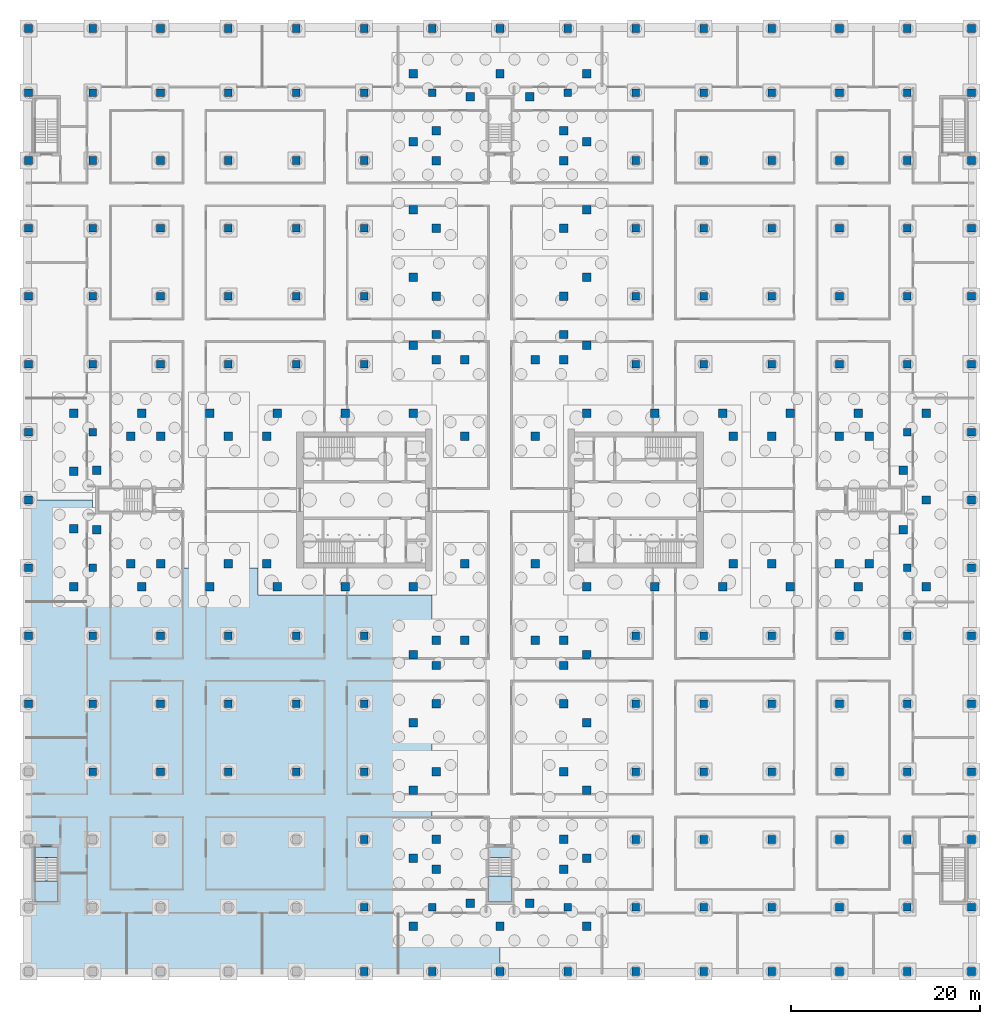
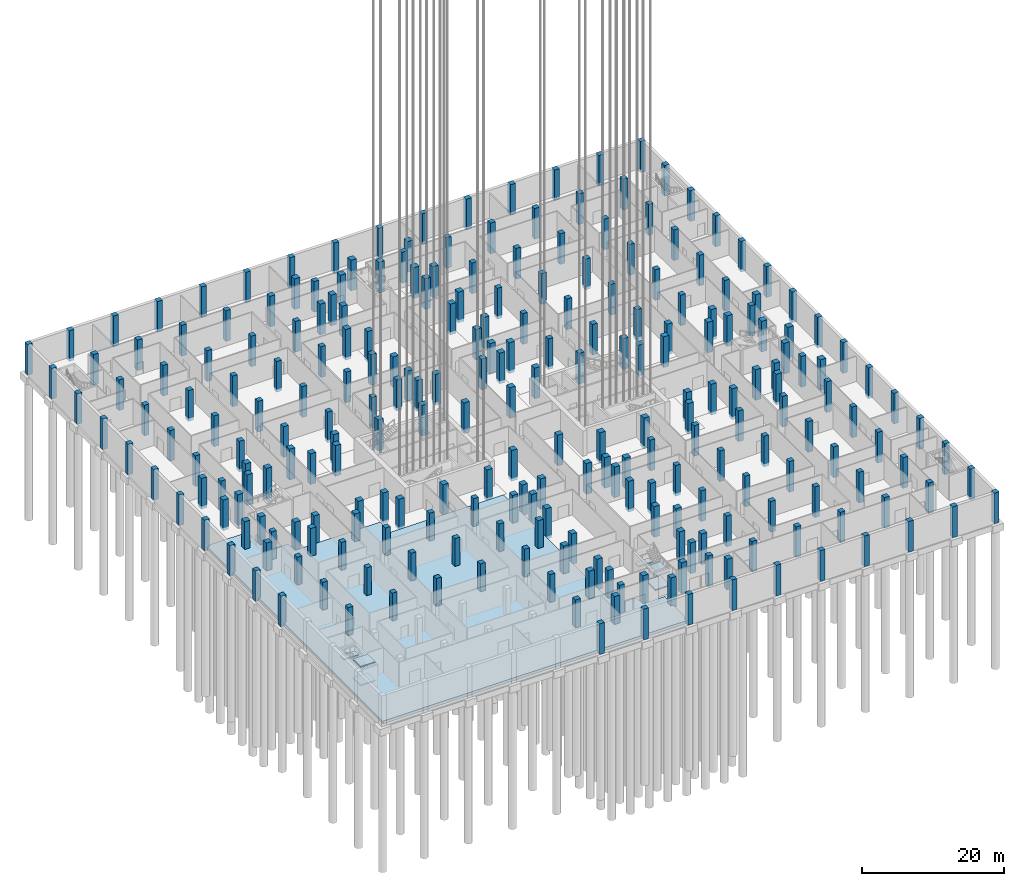
# One storey, part 4 of 54: 253 columns, 7 slabs, 2 elements without a shape of their own.
"""IFC4 building model written with IfcOpenShell, lengths in metres."""

from ifc_helpers import new_model, si_unit, direction, frame, origin, origin_2d, place, context, subcontext, project, spatial, polyline, rectangle, outline, extrude, material, layer, layer_set, material_profile, profile_set, type_object, element, aggregate, save


model = new_model("IFC4")

# Units and contexts
model_context = context("Model", 3, precision=1e-05, world=origin(), true_north=direction((0.0, 1.0)))
body_context = subcontext(model_context, "Body", "Model", "MODEL_VIEW")
ifc_project = project(units=[si_unit("LENGTHUNIT", "METRE"), si_unit("AREAUNIT", "SQUARE_METRE"), si_unit("VOLUMEUNIT", "CUBIC_METRE"), si_unit("PLANEANGLEUNIT", "RADIAN"), si_unit("MASSUNIT", "GRAM", prefix="KILO")], contexts=[model_context])

# Site, building, storey
site_placement = place(None, origin())
site = spatial("IfcSite", under=ifc_project, at=site_placement, CompositionType="ELEMENT")
building_placement = place(site_placement, origin())
building = spatial("IfcBuilding", under=site, at=building_placement, Name="Fustian Cross Tower", CompositionType="ELEMENT")
storey_placement = place(building_placement, frame((0.0, 0.0, -4.800048828125)))
storey = spatial("IfcBuildingStorey", under=building, at=storey_placement, Name="B1", CompositionType="ELEMENT", Elevation=-4.800048828125)

# Columns
ifc_material_1 = material(Name="Concrete C50/60", Category="concrete")
ifc_material_profile_1 = material_profile(ifc_material_1, rectangle(XDim=0.800048828125, YDim=0.800048828125, at=origin_2d()), Name="RC 800x800")
ifc_profile_set_1 = profile_set([ifc_material_profile_1], Name="Concrete C50/60")
column_type_1 = type_object("IfcColumnType", Name="COLUMN RC 800x800 C50/60", PredefinedType="COLUMN", material=ifc_profile_set_1)
for number, where, z_axis, x_axis, name in (
    (1, (-50.0, -21.60009765625, -0.5), (0.0, 0.0, 1.0), (1.0, 0.0, 0.0), "COLUMN 069"),
    (2, (-50.0, -14.39990234375, -0.5), (0.0, 0.0, 1.0), (1.0, 0.0, 0.0), "COLUMN 070"),
    (3, (-50.0, -7.199951171875, -0.5), (0.0, 0.0, 1.0), (1.0, 0.0, 0.0), "COLUMN 071"),
    (4, (-50.0, 0.0, -0.5), (0.0, 0.0, 1.0), (1.0, 0.0, 0.0), "COLUMN 072"),
    (5, (-50.0, 7.199951171875, -0.5), (0.0, 0.0, 1.0), (1.0, 0.0, 0.0), "COLUMN 073"),
    (6, (-50.0, 14.39990234375, -0.5), (0.0, 0.0, 1.0), (1.0, 0.0, 0.0), "COLUMN 074"),
    (7, (-50.0, 21.60009765625, -0.5), (0.0, 0.0, 1.0), (1.0, 0.0, 0.0), "COLUMN 075"),
    (8, (-50.0, 28.800048828125, -0.5), (0.0, 0.0, 1.0), (1.0, 0.0, 0.0), "COLUMN 076"),
    (9, (-50.0, 36.0, -0.5), (0.0, 0.0, 1.0), (1.0, 0.0, 0.0), "COLUMN 077"),
    (10, (-50.0, 43.199951171875, -0.5), (0.0, 0.0, 1.0), (1.0, 0.0, 0.0), "COLUMN 078"),
    (11, (-50.0, 50.0, -0.5), (0.0, 0.0, 1.0), (1.0, 0.0, 0.0), "COLUMN 079"),
    (12, (-43.199951171875, -28.800048828125, -0.5), (0.0, 0.0, 1.0), (1.0, 0.0, 0.0), "COLUMN 083"),
    (13, (-43.199951171875, -21.60009765625, -0.5), (0.0, 0.0, 1.0), (1.0, 0.0, 0.0), "COLUMN 084"),
    (14, (-43.199951171875, -14.39990234375, -0.5), (0.0, 0.0, 1.0), (1.0, 0.0, 0.0), "COLUMN 085"),
    (15, (-43.199951171875, -7.199951171875, -0.5), (0.0, 0.0, 1.0), (1.0, 0.0, 0.0), "COLUMN 086"),
    (16, (-43.199951171875, 7.199951171875, -0.5), (0.0, 0.0, 1.0), (1.0, 0.0, 0.0), "COLUMN 087"),
    (17, (-43.199951171875, 14.39990234375, -0.5), (0.0, 0.0, 1.0), (1.0, 0.0, 0.0), "COLUMN 088"),
    (18, (-43.199951171875, 21.60009765625, -0.5), (0.0, 0.0, 1.0), (1.0, 0.0, 0.0), "COLUMN 089"),
    (19, (-43.199951171875, 28.800048828125, -0.5), (0.0, 0.0, 1.0), (1.0, 0.0, 0.0), "COLUMN 090"),
    (20, (-43.199951171875, 36.0, -0.5), (0.0, 0.0, 1.0), (1.0, 0.0, 0.0), "COLUMN 091"),
    (21, (-43.199951171875, 43.199951171875, -0.5), (0.0, 0.0, 1.0), (1.0, 0.0, 0.0), "COLUMN 092"),
    (22, (-43.199951171875, 50.0, -0.5), (0.0, 0.0, 1.0), (1.0, 0.0, 0.0), "COLUMN 093"),
    (23, (-36.0, -28.800048828125, -0.5), (0.0, 0.0, 1.0), (1.0, 0.0, 0.0), "COLUMN 097"),
    (24, (-36.0, -21.60009765625, -0.5), (0.0, 0.0, 1.0), (1.0, 0.0, 0.0), "COLUMN 098"),
    (25, (-36.0, -14.39990234375, -0.5), (0.0, 0.0, 1.0), (1.0, 0.0, 0.0), "COLUMN 099"),
    (26, (-36.0, 14.39990234375, -0.5), (0.0, 0.0, 1.0), (1.0, 0.0, 0.0), "COLUMN 100"),
    (27, (-36.0, 21.60009765625, -0.5), (0.0, 0.0, 1.0), (1.0, 0.0, 0.0), "COLUMN 101"),
    (28, (-36.0, 28.800048828125, -0.5), (0.0, 0.0, 1.0), (1.0, 0.0, 0.0), "COLUMN 102"),
    (29, (-36.0, 36.0, -0.5), (0.0, 0.0, 1.0), (1.0, 0.0, 0.0), "COLUMN 103"),
    (30, (-36.0, 43.199951171875, -0.5), (0.0, 0.0, 1.0), (1.0, 0.0, 0.0), "COLUMN 104"),
    (31, (-36.0, 50.0, -0.5), (0.0, 0.0, 1.0), (1.0, 0.0, 0.0), "COLUMN 105"),
    (32, (-28.800048828125, -28.800048828125, -0.5), (0.0, 0.0, 1.0), (1.0, 0.0, 0.0), "COLUMN 109"),
    (33, (-28.800048828125, -21.60009765625, -0.5), (0.0, 0.0, 1.0), (1.0, 0.0, 0.0), "COLUMN 110"),
    (34, (-28.800048828125, -14.39990234375, -0.5), (0.0, 0.0, 1.0), (1.0, 0.0, 0.0), "COLUMN 111"),
    (35, (-28.800048828125, 14.39990234375, -0.5), (0.0, 0.0, 1.0), (1.0, 0.0, 0.0), "COLUMN 112"),
    (36, (-28.800048828125, 21.60009765625, -0.5), (0.0, 0.0, 1.0), (1.0, 0.0, 0.0), "COLUMN 113"),
    (37, (-28.800048828125, 28.800048828125, -0.5), (0.0, 0.0, 1.0), (1.0, 0.0, 0.0), "COLUMN 114"),
    (38, (-28.800048828125, 36.0, -0.5), (0.0, 0.0, 1.0), (1.0, 0.0, 0.0), "COLUMN 115"),
    (39, (-28.800048828125, 43.199951171875, -0.5), (0.0, 0.0, 1.0), (1.0, 0.0, 0.0), "COLUMN 116"),
    (40, (-28.800048828125, 50.0, -0.5), (0.0, 0.0, 1.0), (1.0, 0.0, 0.0), "COLUMN 117"),
    (41, (-21.60009765625, -28.800048828125, -0.5), (0.0, 0.0, 1.0), (1.0, 0.0, 0.0), "COLUMN 121"),
    (42, (-21.60009765625, -21.60009765625, -0.5), (0.0, 0.0, 1.0), (1.0, 0.0, 0.0), "COLUMN 122"),
    (43, (-21.60009765625, -14.39990234375, -0.5), (0.0, 0.0, 1.0), (1.0, 0.0, 0.0), "COLUMN 123"),
    (44, (-21.60009765625, 14.39990234375, -0.5), (0.0, 0.0, 1.0), (1.0, 0.0, 0.0), "COLUMN 124"),
    (45, (-21.60009765625, 21.60009765625, -0.5), (0.0, 0.0, 1.0), (1.0, 0.0, 0.0), "COLUMN 125"),
    (46, (-21.60009765625, 28.800048828125, -0.5), (0.0, 0.0, 1.0), (1.0, 0.0, 0.0), "COLUMN 126"),
    (47, (-21.60009765625, 36.0, -0.5), (0.0, 0.0, 1.0), (1.0, 0.0, 0.0), "COLUMN 127"),
    (48, (-21.60009765625, 43.199951171875, -0.5), (0.0, 0.0, 1.0), (1.0, 0.0, 0.0), "COLUMN 128"),
    (49, (-21.60009765625, 50.0, -0.5), (0.0, 0.0, 1.0), (1.0, 0.0, 0.0), "COLUMN 129"),
    (50, (-14.39990234375, -50.0, -0.5), (0.0, 0.0, 1.0), (1.0, 0.0, 0.0), "COLUMN 130"),
    (51, (-14.39990234375, -43.199951171875, -0.5), (0.0, 0.0, 1.0), (1.0, 0.0, 0.0), "COLUMN 131"),
    (52, (-14.39990234375, -36.0, -0.5), (0.0, 0.0, 1.0), (1.0, 0.0, 0.0), "COLUMN 132"),
    (53, (-14.39990234375, -28.800048828125, -0.5), (0.0, 0.0, 1.0), (1.0, 0.0, 0.0), "COLUMN 133"),
    (54, (-14.39990234375, -21.60009765625, -0.5), (0.0, 0.0, 1.0), (1.0, 0.0, 0.0), "COLUMN 134"),
    (55, (-14.39990234375, -14.39990234375, -0.5), (0.0, 0.0, 1.0), (1.0, 0.0, 0.0), "COLUMN 135"),
    (56, (-14.39990234375, 14.39990234375, -0.5), (0.0, 0.0, 1.0), (1.0, 0.0, 0.0), "COLUMN 136"),
    (57, (-14.39990234375, 21.60009765625, -0.5), (0.0, 0.0, 1.0), (1.0, 0.0, 0.0), "COLUMN 137"),
    (58, (-14.39990234375, 28.800048828125, -0.5), (0.0, 0.0, 1.0), (1.0, 0.0, 0.0), "COLUMN 138"),
    (59, (-14.39990234375, 36.0, -0.5), (0.0, 0.0, 1.0), (1.0, 0.0, 0.0), "COLUMN 139"),
    (60, (-14.39990234375, 43.199951171875, -0.5), (0.0, 0.0, 1.0), (1.0, 0.0, 0.0), "COLUMN 140"),
    (61, (-14.39990234375, 50.0, -0.5), (0.0, 0.0, 1.0), (1.0, 0.0, 0.0), "COLUMN 141"),
    (62, (-7.199951171875, -50.0, -0.5), (0.0, 0.0, 1.0), (1.0, 0.0, 0.0), "COLUMN 142"),
    (63, (-7.199951171875, -43.199951171875, -0.5), (0.0, 0.0, 1.0), (1.0, 0.0, 0.0), "COLUMN 143"),
    (64, (-7.199951171875, 43.199951171875, -0.5), (0.0, 0.0, 1.0), (1.0, 0.0, 0.0), "COLUMN 144"),
    (65, (-7.199951171875, 50.0, -0.5), (0.0, 0.0, 1.0), (1.0, 0.0, 0.0), "COLUMN 145"),
    (66, (0.0, -50.0, -0.5), (0.0, 0.0, 1.0), (1.0, 0.0, 0.0), "COLUMN 146"),
    (67, (0.0, 50.0, -0.5), (0.0, 0.0, 1.0), (1.0, 0.0, 0.0), "COLUMN 147"),
    (68, (7.199951171875, -50.0, -0.5), (0.0, 0.0, 1.0), (1.0, 0.0, 0.0), "COLUMN 148"),
    (69, (7.199951171875, -43.199951171875, -0.5), (0.0, 0.0, 1.0), (1.0, 0.0, 0.0), "COLUMN 149"),
    (70, (7.199951171875, 43.199951171875, -0.5), (0.0, 0.0, 1.0), (1.0, 0.0, 0.0), "COLUMN 150"),
    (71, (7.199951171875, 50.0, -0.5), (0.0, 0.0, 1.0), (1.0, 0.0, 0.0), "COLUMN 151"),
    (72, (14.39990234375, -50.0, -0.5), (0.0, 0.0, 1.0), (1.0, 0.0, 0.0), "COLUMN 152"),
    (73, (14.39990234375, -43.199951171875, -0.5), (0.0, 0.0, 1.0), (1.0, 0.0, 0.0), "COLUMN 153"),
    (74, (14.39990234375, -36.0, -0.5), (0.0, 0.0, 1.0), (1.0, 0.0, 0.0), "COLUMN 154"),
    (75, (14.39990234375, -28.800048828125, -0.5), (0.0, 0.0, 1.0), (1.0, 0.0, 0.0), "COLUMN 155"),
    (76, (14.39990234375, -21.60009765625, -0.5), (0.0, 0.0, 1.0), (1.0, 0.0, 0.0), "COLUMN 156"),
    (77, (14.39990234375, -14.39990234375, -0.5), (0.0, 0.0, 1.0), (1.0, 0.0, 0.0), "COLUMN 157"),
    (78, (14.39990234375, 14.39990234375, -0.5), (0.0, 0.0, 1.0), (1.0, 0.0, 0.0), "COLUMN 158"),
    (79, (14.39990234375, 21.60009765625, -0.5), (0.0, 0.0, 1.0), (1.0, 0.0, 0.0), "COLUMN 159"),
    (80, (14.39990234375, 28.800048828125, -0.5), (0.0, 0.0, 1.0), (1.0, 0.0, 0.0), "COLUMN 160"),
    (81, (14.39990234375, 36.0, -0.5), (0.0, 0.0, 1.0), (1.0, 0.0, 0.0), "COLUMN 161"),
    (82, (14.39990234375, 43.199951171875, -0.5), (0.0, 0.0, 1.0), (1.0, 0.0, 0.0), "COLUMN 162"),
    (83, (14.39990234375, 50.0, -0.5), (0.0, 0.0, 1.0), (1.0, 0.0, 0.0), "COLUMN 163"),
    (84, (21.60009765625, -50.0, -0.5), (0.0, 0.0, 1.0), (1.0, 0.0, 0.0), "COLUMN 164"),
    (85, (21.60009765625, -43.199951171875, -0.5), (0.0, 0.0, 1.0), (1.0, 0.0, 0.0), "COLUMN 165"),
    (86, (21.60009765625, -36.0, -0.5), (0.0, 0.0, 1.0), (1.0, 0.0, 0.0), "COLUMN 166"),
    (87, (21.60009765625, -28.800048828125, -0.5), (0.0, 0.0, 1.0), (1.0, 0.0, 0.0), "COLUMN 167"),
    (88, (21.60009765625, -21.60009765625, -0.5), (0.0, 0.0, 1.0), (1.0, 0.0, 0.0), "COLUMN 168"),
    (89, (21.60009765625, -14.39990234375, -0.5), (0.0, 0.0, 1.0), (1.0, 0.0, 0.0), "COLUMN 169"),
    (90, (21.60009765625, 14.39990234375, -0.5), (0.0, 0.0, 1.0), (1.0, 0.0, 0.0), "COLUMN 170"),
    (91, (21.60009765625, 21.60009765625, -0.5), (0.0, 0.0, 1.0), (1.0, 0.0, 0.0), "COLUMN 171"),
    (92, (21.60009765625, 28.800048828125, -0.5), (0.0, 0.0, 1.0), (1.0, 0.0, 0.0), "COLUMN 172"),
    (93, (21.60009765625, 36.0, -0.5), (0.0, 0.0, 1.0), (1.0, 0.0, 0.0), "COLUMN 173"),
    (94, (21.60009765625, 43.199951171875, -0.5), (0.0, 0.0, 1.0), (1.0, 0.0, 0.0), "COLUMN 174"),
    (95, (21.60009765625, 50.0, -0.5), (0.0, 0.0, 1.0), (1.0, 0.0, 0.0), "COLUMN 175"),
    (96, (28.800048828125, -50.0, -0.5), (0.0, 0.0, 1.0), (1.0, 0.0, 0.0), "COLUMN 176"),
    (97, (28.800048828125, -43.199951171875, -0.5), (0.0, 0.0, 1.0), (1.0, 0.0, 0.0), "COLUMN 177"),
    (98, (28.800048828125, -36.0, -0.5), (0.0, 0.0, 1.0), (1.0, 0.0, 0.0), "COLUMN 178"),
    (99, (28.800048828125, -28.800048828125, -0.5), (0.0, 0.0, 1.0), (1.0, 0.0, 0.0), "COLUMN 179"),
    (100, (28.800048828125, -21.60009765625, -0.5), (0.0, 0.0, 1.0), (1.0, 0.0, 0.0), "COLUMN 180"),
    (101, (28.800048828125, -14.39990234375, -0.5), (0.0, 0.0, 1.0), (1.0, 0.0, 0.0), "COLUMN 181"),
    (102, (28.800048828125, 14.39990234375, -0.5), (0.0, 0.0, 1.0), (1.0, 0.0, 0.0), "COLUMN 182"),
    (103, (28.800048828125, 21.60009765625, -0.5), (0.0, 0.0, 1.0), (1.0, 0.0, 0.0), "COLUMN 183"),
    (104, (28.800048828125, 28.800048828125, -0.5), (0.0, 0.0, 1.0), (1.0, 0.0, 0.0), "COLUMN 184"),
    (105, (28.800048828125, 36.0, -0.5), (0.0, 0.0, 1.0), (1.0, 0.0, 0.0), "COLUMN 185"),
    (106, (28.800048828125, 43.199951171875, -0.5), (0.0, 0.0, 1.0), (1.0, 0.0, 0.0), "COLUMN 186"),
    (107, (28.800048828125, 50.0, -0.5), (0.0, 0.0, 1.0), (1.0, 0.0, 0.0), "COLUMN 187"),
    (108, (36.0, -50.0, -0.5), (0.0, 0.0, 1.0), (1.0, 0.0, 0.0), "COLUMN 188"),
    (109, (36.0, -43.199951171875, -0.5), (0.0, 0.0, 1.0), (1.0, 0.0, 0.0), "COLUMN 189"),
    (110, (36.0, -36.0, -0.5), (0.0, 0.0, 1.0), (1.0, 0.0, 0.0), "COLUMN 190"),
    (111, (36.0, -28.800048828125, -0.5), (0.0, 0.0, 1.0), (1.0, 0.0, 0.0), "COLUMN 191"),
    (112, (36.0, -21.60009765625, -0.5), (0.0, 0.0, 1.0), (1.0, 0.0, 0.0), "COLUMN 192"),
    (113, (36.0, -14.39990234375, -0.5), (0.0, 0.0, 1.0), (1.0, 0.0, 0.0), "COLUMN 193"),
    (114, (36.0, 14.39990234375, -0.5), (0.0, 0.0, 1.0), (1.0, 0.0, 0.0), "COLUMN 194"),
    (115, (36.0, 21.60009765625, -0.5), (0.0, 0.0, 1.0), (1.0, 0.0, 0.0), "COLUMN 195"),
    (116, (36.0, 28.800048828125, -0.5), (0.0, 0.0, 1.0), (1.0, 0.0, 0.0), "COLUMN 196"),
    (117, (36.0, 36.0, -0.5), (0.0, 0.0, 1.0), (1.0, 0.0, 0.0), "COLUMN 197"),
    (118, (36.0, 43.199951171875, -0.5), (0.0, 0.0, 1.0), (1.0, 0.0, 0.0), "COLUMN 198"),
    (119, (36.0, 50.0, -0.5), (0.0, 0.0, 1.0), (1.0, 0.0, 0.0), "COLUMN 199"),
    (120, (43.199951171875, -50.0, -0.5), (0.0, 0.0, 1.0), (1.0, 0.0, 0.0), "COLUMN 200"),
    (121, (43.199951171875, -43.199951171875, -0.5), (0.0, 0.0, 1.0), (1.0, 0.0, 0.0), "COLUMN 201"),
    (122, (43.199951171875, -36.0, -0.5), (0.0, 0.0, 1.0), (1.0, 0.0, 0.0), "COLUMN 202"),
    (123, (43.199951171875, -28.800048828125, -0.5), (0.0, 0.0, 1.0), (1.0, 0.0, 0.0), "COLUMN 203"),
    (124, (43.199951171875, -21.60009765625, -0.5), (0.0, 0.0, 1.0), (1.0, 0.0, 0.0), "COLUMN 204"),
    (125, (43.199951171875, -14.39990234375, -0.5), (0.0, 0.0, 1.0), (1.0, 0.0, 0.0), "COLUMN 205"),
    (126, (43.199951171875, -7.199951171875, -0.5), (0.0, 0.0, 1.0), (1.0, 0.0, 0.0), "COLUMN 206"),
    (127, (43.199951171875, 7.199951171875, -0.5), (0.0, 0.0, 1.0), (1.0, 0.0, 0.0), "COLUMN 207"),
    (128, (43.199951171875, 14.39990234375, -0.5), (0.0, 0.0, 1.0), (1.0, 0.0, 0.0), "COLUMN 208"),
    (129, (43.199951171875, 21.60009765625, -0.5), (0.0, 0.0, 1.0), (1.0, 0.0, 0.0), "COLUMN 209"),
    (130, (43.199951171875, 28.800048828125, -0.5), (0.0, 0.0, 1.0), (1.0, 0.0, 0.0), "COLUMN 210"),
    (131, (43.199951171875, 36.0, -0.5), (0.0, 0.0, 1.0), (1.0, 0.0, 0.0), "COLUMN 211"),
    (132, (43.199951171875, 43.199951171875, -0.5), (0.0, 0.0, 1.0), (1.0, 0.0, 0.0), "COLUMN 212"),
    (133, (43.199951171875, 50.0, -0.5), (0.0, 0.0, 1.0), (1.0, 0.0, 0.0), "COLUMN 213"),
    (134, (50.0, -50.0, -0.5), (0.0, 0.0, 1.0), (1.0, 0.0, 0.0), "COLUMN 214"),
    (135, (50.0, -43.199951171875, -0.5), (0.0, 0.0, 1.0), (1.0, 0.0, 0.0), "COLUMN 215"),
    (136, (50.0, -36.0, -0.5), (0.0, 0.0, 1.0), (1.0, 0.0, 0.0), "COLUMN 216"),
    (137, (50.0, -28.800048828125, -0.5), (0.0, 0.0, 1.0), (1.0, 0.0, 0.0), "COLUMN 217"),
    (138, (50.0, -21.60009765625, -0.5), (0.0, 0.0, 1.0), (1.0, 0.0, 0.0), "COLUMN 218"),
    (139, (50.0, -14.39990234375, -0.5), (0.0, 0.0, 1.0), (1.0, 0.0, 0.0), "COLUMN 219"),
    (140, (50.0, -7.199951171875, -0.5), (0.0, 0.0, 1.0), (1.0, 0.0, 0.0), "COLUMN 220"),
    (141, (50.0, 0.0, -0.5), (0.0, 0.0, 1.0), (1.0, 0.0, 0.0), "COLUMN 221"),
    (142, (50.0, 7.199951171875, -0.5), (0.0, 0.0, 1.0), (1.0, 0.0, 0.0), "COLUMN 222"),
    (143, (50.0, 14.39990234375, -0.5), (0.0, 0.0, 1.0), (1.0, 0.0, 0.0), "COLUMN 223"),
    (144, (50.0, 21.60009765625, -0.5), (0.0, 0.0, 1.0), (1.0, 0.0, 0.0), "COLUMN 224"),
    (145, (50.0, 28.800048828125, -0.5), (0.0, 0.0, 1.0), (1.0, 0.0, 0.0), "COLUMN 225"),
    (146, (50.0, 36.0, -0.5), (0.0, 0.0, 1.0), (1.0, 0.0, 0.0), "COLUMN 226"),
    (147, (50.0, 43.199951171875, -0.5), (0.0, 0.0, 1.0), (1.0, 0.0, 0.0), "COLUMN 227"),
    (148, (50.0, 50.0, -0.5), (0.0, 0.0, 1.0), (1.0, 0.0, 0.0), "COLUMN 228"),
):
    element("IfcColumn", number, at=place(storey_placement, frame(where, z_axis=z_axis, x_axis=x_axis)), inside=storey, type_object=column_type_1, Name=name, PredefinedType="COLUMN", context=body_context, shape_type="SweptSolid", body=[
        extrude(rectangle(XDim=0.800048828125, YDim=0.800048828125, at=origin_2d()), origin(), (0.0, 0.0, 1.0), 5.300048828125),
    ])
ifc_material_2 = material(Name="Concrete C70/85", Category="concrete")
ifc_material_profile_2 = material_profile(ifc_material_2, rectangle(XDim=0.89990234375, YDim=0.89990234375, at=origin_2d()), Name="RC 900x900")
ifc_profile_set_2 = profile_set([ifc_material_profile_2], Name="Concrete C70/85")
column_type_2 = type_object("IfcColumnType", Name="COLUMN RC 900x900 C70/85", PredefinedType="COLUMN", material=ifc_profile_set_2)
for number, where, z_axis, x_axis, name in (
    (149, (-42.75, -3.14990234375, -0.5), (0.0, 0.0, 1.0), (1.0, 0.0, 0.0), "COLUMN 001"),
    (150, (-42.75, 3.14990234375, -0.5), (0.0, 0.0, 1.0), (1.0, 0.0, 0.0), "COLUMN 002"),
    (151, (-39.14990234375, -6.75, -0.5), (0.0, 0.0, 1.0), (1.0, 0.0, 0.0), "COLUMN 003"),
    (152, (-39.14990234375, 6.75, -0.5), (0.0, 0.0, 1.0), (1.0, 0.0, 0.0), "COLUMN 004"),
    (153, (-36.0, -6.75, -0.5), (0.0, 0.0, 1.0), (1.0, 0.0, 0.0), "COLUMN 005"),
    (154, (-36.0, 6.75, -0.5), (0.0, 0.0, 1.0), (1.0, 0.0, 0.0), "COLUMN 006"),
    (155, (-28.800048828125, -6.75, -0.5), (0.0, 0.0, 1.0), (1.0, 0.0, 0.0), "COLUMN 007"),
    (156, (-28.800048828125, 6.75, -0.5), (0.0, 0.0, 1.0), (1.0, 0.0, 0.0), "COLUMN 010"),
    (157, (-24.75, -6.75, -0.5), (0.0, 0.0, 1.0), (1.0, 0.0, 0.0), "COLUMN 011"),
    (158, (-24.75, 6.75, -0.5), (0.0, 0.0, 1.0), (1.0, 0.0, 0.0), "COLUMN 012"),
    (159, (-6.75, -39.14990234375, -0.5), (0.0, 0.0, 1.0), (1.0, 0.0, 0.0), "COLUMN 013"),
    (160, (-6.75, -36.0, -0.5), (0.0, 0.0, 1.0), (1.0, 0.0, 0.0), "COLUMN 014"),
    (161, (-6.75, -28.800048828125, -0.5), (0.0, 0.0, 1.0), (1.0, 0.0, 0.0), "COLUMN 015"),
    (162, (-6.75, -21.60009765625, -0.5), (0.0, 0.0, 1.0), (1.0, 0.0, 0.0), "COLUMN 016"),
    (163, (-6.75, -17.550048828125, -0.5), (0.0, 0.0, 1.0), (1.0, 0.0, 0.0), "COLUMN 017"),
    (164, (-6.75, -14.85009765625, -0.5), (0.0, 0.0, 1.0), (1.0, 0.0, 0.0), "COLUMN 018"),
    (165, (-6.75, 14.85009765625, -0.5), (0.0, 0.0, 1.0), (1.0, 0.0, 0.0), "COLUMN 019"),
    (166, (-6.75, 17.550048828125, -0.5), (0.0, 0.0, 1.0), (1.0, 0.0, 0.0), "COLUMN 020"),
    (167, (-6.75, 21.60009765625, -0.5), (0.0, 0.0, 1.0), (1.0, 0.0, 0.0), "COLUMN 021"),
    (168, (-6.75, 28.800048828125, -0.5), (0.0, 0.0, 1.0), (1.0, 0.0, 0.0), "COLUMN 022"),
    (169, (-6.75, 36.0, -0.5), (0.0, 0.0, 1.0), (1.0, 0.0, 0.0), "COLUMN 023"),
    (170, (-6.75, 39.14990234375, -0.5), (0.0, 0.0, 1.0), (1.0, 0.0, 0.0), "COLUMN 024"),
    (171, (-3.75, -14.85009765625, -0.5), (0.0, 0.0, 1.0), (1.0, 0.0, 0.0), "COLUMN 025"),
    (172, (-3.75, -6.75, -0.5), (0.0, 0.0, 1.0), (1.0, 0.0, 0.0), "COLUMN 026"),
    (173, (-3.75, 6.75, -0.5), (0.0, 0.0, 1.0), (1.0, 0.0, 0.0), "COLUMN 027"),
    (174, (-3.75, 14.85009765625, -0.5), (0.0, 0.0, 1.0), (1.0, 0.0, 0.0), "COLUMN 028"),
    (175, (-3.14990234375, -42.75, -0.5), (0.0, 0.0, 1.0), (1.0, 0.0, 0.0), "COLUMN 029"),
    (176, (-3.14990234375, 42.75, -0.5), (0.0, 0.0, 1.0), (1.0, 0.0, 0.0), "COLUMN 032"),
    (177, (3.14990234375, -42.75, -0.5), (0.0, 0.0, 1.0), (1.0, 0.0, 0.0), "COLUMN 033"),
    (178, (3.14990234375, 42.75, -0.5), (0.0, 0.0, 1.0), (1.0, 0.0, 0.0), "COLUMN 036"),
    (179, (3.75, -14.85009765625, -0.5), (0.0, 0.0, 1.0), (1.0, 0.0, 0.0), "COLUMN 037"),
    (180, (3.75, -6.75, -0.5), (0.0, 0.0, 1.0), (1.0, 0.0, 0.0), "COLUMN 038"),
    (181, (3.75, 6.75, -0.5), (0.0, 0.0, 1.0), (1.0, 0.0, 0.0), "COLUMN 039"),
    (182, (3.75, 14.85009765625, -0.5), (0.0, 0.0, 1.0), (1.0, 0.0, 0.0), "COLUMN 040"),
    (183, (6.75, -39.14990234375, -0.5), (0.0, 0.0, 1.0), (1.0, 0.0, 0.0), "COLUMN 041"),
    (184, (6.75, -36.0, -0.5), (0.0, 0.0, 1.0), (1.0, 0.0, 0.0), "COLUMN 042"),
    (185, (6.75, -28.800048828125, -0.5), (0.0, 0.0, 1.0), (1.0, 0.0, 0.0), "COLUMN 043"),
    (186, (6.75, -21.60009765625, -0.5), (0.0, 0.0, 1.0), (1.0, 0.0, 0.0), "COLUMN 044"),
    (187, (6.75, -17.550048828125, -0.5), (0.0, 0.0, 1.0), (1.0, 0.0, 0.0), "COLUMN 045"),
    (188, (6.75, -14.85009765625, -0.5), (0.0, 0.0, 1.0), (1.0, 0.0, 0.0), "COLUMN 046"),
    (189, (6.75, 14.85009765625, -0.5), (0.0, 0.0, 1.0), (1.0, 0.0, 0.0), "COLUMN 047"),
    (190, (6.75, 17.550048828125, -0.5), (0.0, 0.0, 1.0), (1.0, 0.0, 0.0), "COLUMN 048"),
    (191, (6.75, 21.60009765625, -0.5), (0.0, 0.0, 1.0), (1.0, 0.0, 0.0), "COLUMN 049"),
    (192, (6.75, 28.800048828125, -0.5), (0.0, 0.0, 1.0), (1.0, 0.0, 0.0), "COLUMN 050"),
    (193, (6.75, 36.0, -0.5), (0.0, 0.0, 1.0), (1.0, 0.0, 0.0), "COLUMN 051"),
    (194, (6.75, 39.14990234375, -0.5), (0.0, 0.0, 1.0), (1.0, 0.0, 0.0), "COLUMN 052"),
    (195, (24.75, -6.75, -0.5), (0.0, 0.0, 1.0), (1.0, 0.0, 0.0), "COLUMN 053"),
    (196, (24.75, 6.75, -0.5), (0.0, 0.0, 1.0), (1.0, 0.0, 0.0), "COLUMN 054"),
    (197, (28.800048828125, -6.75, -0.5), (0.0, 0.0, 1.0), (1.0, 0.0, 0.0), "COLUMN 055"),
    (198, (28.800048828125, 6.75, -0.5), (0.0, 0.0, 1.0), (1.0, 0.0, 0.0), "COLUMN 058"),
    (199, (36.0, -6.75, -0.5), (0.0, 0.0, 1.0), (1.0, 0.0, 0.0), "COLUMN 059"),
    (200, (36.0, 6.75, -0.5), (0.0, 0.0, 1.0), (1.0, 0.0, 0.0), "COLUMN 060"),
    (201, (39.14990234375, -6.75, -0.5), (0.0, 0.0, 1.0), (1.0, 0.0, 0.0), "COLUMN 061"),
    (202, (39.14990234375, 6.75, -0.5), (0.0, 0.0, 1.0), (1.0, 0.0, 0.0), "COLUMN 062"),
    (203, (42.75, -3.14990234375, -0.5), (0.0, 0.0, 1.0), (1.0, 0.0, 0.0), "COLUMN 063"),
    (204, (42.75, 3.14990234375, -0.5), (0.0, 0.0, 1.0), (1.0, 0.0, 0.0), "COLUMN 064"),
    (205, (-45.199951171875, -9.199951171875, -0.5), (0.0, 0.0, 1.0), (1.0, 0.0, 0.0), "COLUMN 901"),
    (206, (-45.199951171875, -3.066650390625, -0.5), (0.0, 0.0, 1.0), (1.0, 0.0, 0.0), "COLUMN 902"),
    (207, (-45.199951171875, 3.066650390625, -0.5), (0.0, 0.0, 1.0), (1.0, 0.0, 0.0), "COLUMN 903"),
    (208, (-45.199951171875, 9.199951171875, -0.5), (0.0, 0.0, 1.0), (1.0, 0.0, 0.0), "COLUMN 904"),
    (209, (-38.0, -9.199951171875, -0.5), (0.0, 0.0, 1.0), (1.0, 0.0, 0.0), "COLUMN 905"),
    (210, (-38.0, 9.199951171875, -0.5), (0.0, 0.0, 1.0), (1.0, 0.0, 0.0), "COLUMN 906"),
    (211, (-30.800048828125, -9.199951171875, -0.5), (0.0, 0.0, 1.0), (1.0, 0.0, 0.0), "COLUMN 907"),
    (212, (-30.800048828125, 9.199951171875, -0.5), (0.0, 0.0, 1.0), (1.0, 0.0, 0.0), "COLUMN 908"),
    (213, (-23.60009765625, -9.199951171875, -0.5), (0.0, 0.0, 1.0), (1.0, 0.0, 0.0), "COLUMN 909"),
    (214, (-23.60009765625, 9.199951171875, -0.5), (0.0, 0.0, 1.0), (1.0, 0.0, 0.0), "COLUMN 910"),
    (215, (-16.39990234375, -9.199951171875, -0.5), (0.0, 0.0, 1.0), (1.0, 0.0, 0.0), "COLUMN 911"),
    (216, (-16.39990234375, 9.199951171875, -0.5), (0.0, 0.0, 1.0), (1.0, 0.0, 0.0), "COLUMN 912"),
    (217, (-9.199951171875, -45.199951171875, -0.5), (0.0, 0.0, 1.0), (1.0, 0.0, 0.0), "COLUMN 913"),
    (218, (-9.199951171875, -38.0, -0.5), (0.0, 0.0, 1.0), (1.0, 0.0, 0.0), "COLUMN 914"),
    (219, (-9.199951171875, -30.800048828125, -0.5), (0.0, 0.0, 1.0), (1.0, 0.0, 0.0), "COLUMN 915"),
    (220, (-9.199951171875, -23.60009765625, -0.5), (0.0, 0.0, 1.0), (1.0, 0.0, 0.0), "COLUMN 916"),
    (221, (-9.199951171875, -16.39990234375, -0.5), (0.0, 0.0, 1.0), (1.0, 0.0, 0.0), "COLUMN 917"),
    (222, (-9.199951171875, -9.199951171875, -0.5), (0.0, 0.0, 1.0), (1.0, 0.0, 0.0), "COLUMN 918"),
    (223, (-9.199951171875, 9.199951171875, -0.5), (0.0, 0.0, 1.0), (1.0, 0.0, 0.0), "COLUMN 919"),
    (224, (-9.199951171875, 16.39990234375, -0.5), (0.0, 0.0, 1.0), (1.0, 0.0, 0.0), "COLUMN 920"),
    (225, (-9.199951171875, 23.60009765625, -0.5), (0.0, 0.0, 1.0), (1.0, 0.0, 0.0), "COLUMN 921"),
    (226, (-9.199951171875, 30.800048828125, -0.5), (0.0, 0.0, 1.0), (1.0, 0.0, 0.0), "COLUMN 922"),
    (227, (-9.199951171875, 38.0, -0.5), (0.0, 0.0, 1.0), (1.0, 0.0, 0.0), "COLUMN 923"),
    (228, (-9.199951171875, 45.199951171875, -0.5), (0.0, 0.0, 1.0), (1.0, 0.0, 0.0), "COLUMN 924"),
    (229, (0.0, -45.199951171875, -0.5), (0.0, 0.0, 1.0), (1.0, 0.0, 0.0), "COLUMN 925"),
    (230, (0.0, 45.199951171875, -0.5), (0.0, 0.0, 1.0), (1.0, 0.0, 0.0), "COLUMN 926"),
    (231, (9.199951171875, -45.199951171875, -0.5), (0.0, 0.0, 1.0), (1.0, 0.0, 0.0), "COLUMN 927"),
    (232, (9.199951171875, -38.0, -0.5), (0.0, 0.0, 1.0), (1.0, 0.0, 0.0), "COLUMN 928"),
    (233, (9.199951171875, -30.800048828125, -0.5), (0.0, 0.0, 1.0), (1.0, 0.0, 0.0), "COLUMN 929"),
    (234, (9.199951171875, -23.60009765625, -0.5), (0.0, 0.0, 1.0), (1.0, 0.0, 0.0), "COLUMN 930"),
    (235, (9.199951171875, -16.39990234375, -0.5), (0.0, 0.0, 1.0), (1.0, 0.0, 0.0), "COLUMN 931"),
    (236, (9.199951171875, -9.199951171875, -0.5), (0.0, 0.0, 1.0), (1.0, 0.0, 0.0), "COLUMN 932"),
    (237, (9.199951171875, 9.199951171875, -0.5), (0.0, 0.0, 1.0), (1.0, 0.0, 0.0), "COLUMN 933"),
    (238, (9.199951171875, 16.39990234375, -0.5), (0.0, 0.0, 1.0), (1.0, 0.0, 0.0), "COLUMN 934"),
    (239, (9.199951171875, 23.60009765625, -0.5), (0.0, 0.0, 1.0), (1.0, 0.0, 0.0), "COLUMN 935"),
    (240, (9.199951171875, 30.800048828125, -0.5), (0.0, 0.0, 1.0), (1.0, 0.0, 0.0), "COLUMN 936"),
    (241, (9.199951171875, 38.0, -0.5), (0.0, 0.0, 1.0), (1.0, 0.0, 0.0), "COLUMN 937"),
    (242, (9.199951171875, 45.199951171875, -0.5), (0.0, 0.0, 1.0), (1.0, 0.0, 0.0), "COLUMN 938"),
    (243, (16.39990234375, -9.199951171875, -0.5), (0.0, 0.0, 1.0), (1.0, 0.0, 0.0), "COLUMN 939"),
    (244, (16.39990234375, 9.199951171875, -0.5), (0.0, 0.0, 1.0), (1.0, 0.0, 0.0), "COLUMN 940"),
    (245, (23.60009765625, -9.199951171875, -0.5), (0.0, 0.0, 1.0), (1.0, 0.0, 0.0), "COLUMN 941"),
    (246, (23.60009765625, 9.199951171875, -0.5), (0.0, 0.0, 1.0), (1.0, 0.0, 0.0), "COLUMN 942"),
    (247, (30.800048828125, -9.199951171875, -0.5), (0.0, 0.0, 1.0), (1.0, 0.0, 0.0), "COLUMN 943"),
    (248, (30.800048828125, 9.199951171875, -0.5), (0.0, 0.0, 1.0), (1.0, 0.0, 0.0), "COLUMN 944"),
    (249, (38.0, -9.199951171875, -0.5), (0.0, 0.0, 1.0), (1.0, 0.0, 0.0), "COLUMN 945"),
    (250, (38.0, 9.199951171875, -0.5), (0.0, 0.0, 1.0), (1.0, 0.0, 0.0), "COLUMN 946"),
    (251, (45.199951171875, -9.199951171875, -0.5), (0.0, 0.0, 1.0), (1.0, 0.0, 0.0), "COLUMN 947"),
    (252, (45.199951171875, 0.0, -0.5), (0.0, 0.0, 1.0), (1.0, 0.0, 0.0), "COLUMN 948"),
    (253, (45.199951171875, 9.199951171875, -0.5), (0.0, 0.0, 1.0), (1.0, 0.0, 0.0), "COLUMN 949"),
):
    element("IfcColumn", number, at=place(storey_placement, frame(where, z_axis=z_axis, x_axis=x_axis)), inside=storey, type_object=column_type_2, Name=name, PredefinedType="COLUMN", context=body_context, shape_type="SweptSolid", body=[
        extrude(rectangle(XDim=0.89990234375, YDim=0.89990234375, at=origin_2d()), origin(), (0.0, 0.0, 1.0), 5.300048828125),
    ])

# Slab
ifc_material_3 = material(Name="Concrete C40/50", Category="concrete")
ifc_layer_1 = layer(ifc_material_3, 0.5)
ifc_layer_set_1 = layer_set([ifc_layer_1], Name="Concrete C40/50")
slab_type_1 = type_object("IfcSlabType", Name="BASE SLAB 500", PredefinedType="BASESLAB", material=ifc_layer_set_1)
slab_1_placement = place(storey_placement, frame((0.0, 0.0, -0.5)))
element("IfcSlab", 254, at=slab_1_placement, inside=storey, type_object=slab_type_1, Name="FLOOR SLAB B1-6", PredefinedType="BASESLAB", context=body_context, shape_type="SweptSolid", body=[
    extrude(outline(polyline([(-49.89990234375, -49.89990234375), (-49.89990234375, 0.0), (-43.199951171875, 0.0), (-43.199951171875, -3.60009765625), (-41.39990234375, -3.60009765625), (-41.39990234375, -5.39990234375), (-39.60009765625, -5.39990234375), (-39.60009765625, -7.199951171875), (-25.64990234375, -7.199951171875), (-25.64990234375, -10.10009765625), (-7.199951171875, -10.10009765625), (-7.199951171875, -39.60009765625), (-5.39990234375, -39.60009765625), (-5.39990234375, -41.39990234375), (-3.60009765625, -41.39990234375), (-3.60009765625, -43.199951171875), (0.0, -43.199951171875), (0.0, -49.89990234375), (-49.89990234375, -49.89990234375)])), origin(), (0.0, 0.0, 1.0), 0.5),
])

# Stair, slabs
ifc_material_4 = material(Name="Concrete C50/60", Category="concrete")
stair_type = type_object("IfcStairType", Name="STAIR 1100 HALF TURN", PredefinedType="HALF_TURN_STAIR", material=ifc_material_4)
stair_1_placement = place(storey_placement, origin())
stair_1 = element("IfcStair", 255, at=stair_1_placement, inside=storey, type_object=stair_type, Name="Stair ST6", PredefinedType="HALF_TURN_STAIR")
ifc_material_5 = material(Name="Concrete C50/60", Category="concrete")
ifc_layer_2 = layer(ifc_material_5, 0.199951171875)
ifc_layer_set_2 = layer_set([ifc_layer_2], Name="Concrete C50/60")
slab_type_2 = type_object("IfcSlabType", Name="STAIR LANDING", PredefinedType="LANDING", material=ifc_layer_set_2)
slab_2_placement = place(storey_placement, frame((0.0, 0.0, 1.0)))
slab_2 = element("IfcSlab", 256, at=slab_2_placement, type_object=slab_type_2, Name="ST6 landing 1", PredefinedType="LANDING", context=body_context, shape_type="SweptSolid", body=[
    extrude(outline(polyline([(-1.199951171875, -39.860107421875), (-1.199951171875, -42.60009765625), (1.199951171875, -42.60009765625), (1.199951171875, -39.860107421875), (-1.199951171875, -39.860107421875)])), origin(), (0.0, 0.0, 1.0), 0.199951171875),
])
slab_3_placement = place(storey_placement, frame((0.0, 0.0, 2.199951171875)))
slab_3 = element("IfcSlab", 257, at=slab_3_placement, type_object=slab_type_2, Name="ST6 landing 2", PredefinedType="LANDING", context=body_context, shape_type="SweptSolid", body=[
    extrude(outline(polyline([(-1.199951171875, -36.800048828125), (-1.199951171875, -37.89990234375), (1.199951171875, -37.89990234375), (1.199951171875, -36.800048828125), (-1.199951171875, -36.800048828125)])), origin(), (0.0, 0.0, 1.0), 0.2001953125),
])
slab_4_placement = place(storey_placement, frame((0.0, 0.0, 3.400146484375)))
slab_4 = element("IfcSlab", 258, at=slab_4_placement, type_object=slab_type_2, Name="ST6 landing 3", PredefinedType="LANDING", context=body_context, shape_type="SweptSolid", body=[
    extrude(outline(polyline([(-1.199951171875, -39.860107421875), (-1.199951171875, -42.60009765625), (1.199951171875, -42.60009765625), (1.199951171875, -39.860107421875), (-1.199951171875, -39.860107421875)])), origin(), (0.0, 0.0, 1.0), 0.199951171875),
])
aggregate(stair_1, [slab_2, slab_3, slab_4])

stair_2_placement = place(storey_placement, origin())
stair_2 = element("IfcStair", 259, at=stair_2_placement, inside=storey, type_object=stair_type, Name="Stair ST13", PredefinedType="HALF_TURN_STAIR")
slab_5_placement = place(storey_placement, frame((0.0, 0.0, 1.400146484375)))
slab_5 = element("IfcSlab", 260, at=slab_5_placement, type_object=slab_type_2, Name="ST13 landing 1", PredefinedType="LANDING", context=body_context, shape_type="SweptSolid", body=[
    extrude(outline(polyline([(-49.300048828125, -40.419921875), (-49.300048828125, -42.60009765625), (-46.89990234375, -42.60009765625), (-46.89990234375, -40.419921875), (-49.300048828125, -40.419921875)])), origin(), (0.0, 0.0, 1.0), 0.199951171875),
])
slab_6_placement = place(storey_placement, frame((0.0, 0.0, 3.0)))
slab_6 = element("IfcSlab", 261, at=slab_6_placement, type_object=slab_type_2, Name="ST13 landing 2", PredefinedType="LANDING", context=body_context, shape_type="SweptSolid", body=[
    extrude(outline(polyline([(-49.300048828125, -36.800048828125), (-49.300048828125, -37.89990234375), (-46.89990234375, -37.89990234375), (-46.89990234375, -36.800048828125), (-49.300048828125, -36.800048828125)])), origin(), (0.0, 0.0, 1.0), 0.199951171875),
])
slab_7_placement = place(storey_placement, frame((0.0, 0.0, 4.60009765625)))
slab_7 = element("IfcSlab", 262, at=slab_7_placement, type_object=slab_type_2, Name="ST13 landing 3", PredefinedType="LANDING", context=body_context, shape_type="SweptSolid", body=[
    extrude(outline(polyline([(-49.300048828125, -40.419921875), (-49.300048828125, -42.60009765625), (-46.89990234375, -42.60009765625), (-46.89990234375, -40.419921875), (-49.300048828125, -40.419921875)])), origin(), (0.0, 0.0, 1.0), 0.199951171875),
])
aggregate(stair_2, [slab_5, slab_6, slab_7])

save(model, "model.ifc")
